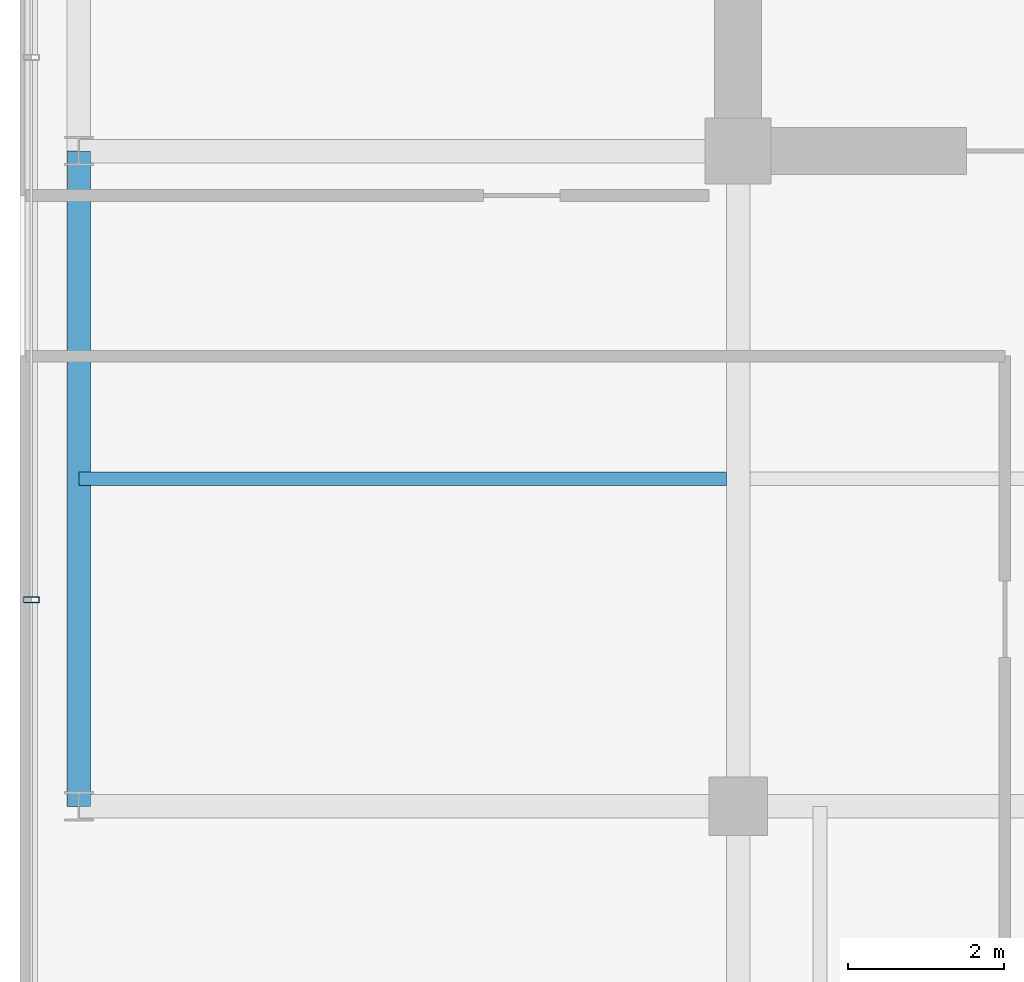
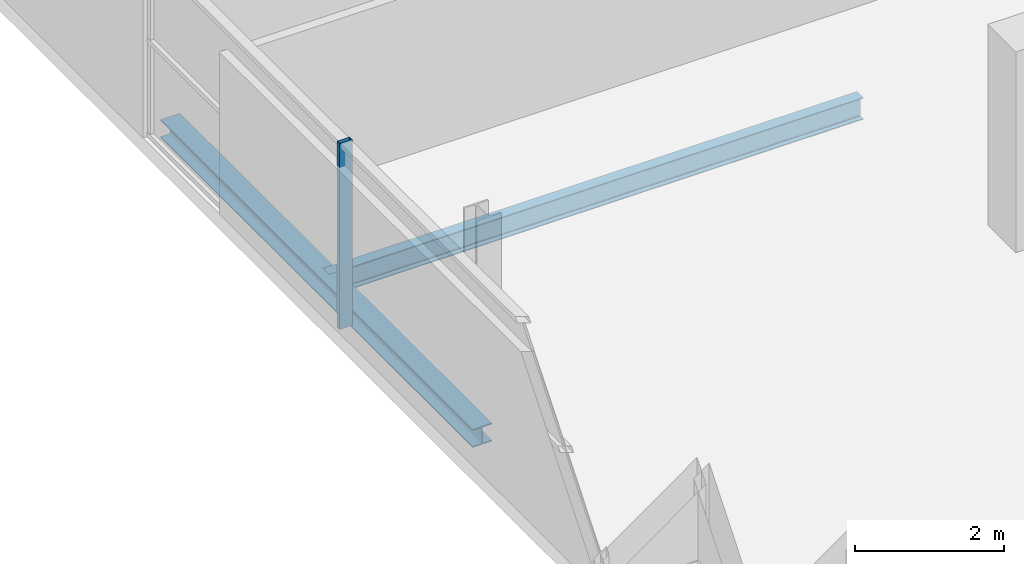
# One storey, part 4 of 24: 2 beams, 1 member, 1 element without a shape of its own.
"""IFC4 building model written with IfcOpenShell, lengths in metres."""

from ifc_helpers import new_model, si_unit, direction, frame, origin, origin_2d, place, context, subcontext, project, spatial, hollow_rectangle, i_section, extrude, source, transform, mapped, material, layer, layer_set, material_profile, profile_set, type_object, element, aggregate, save


model = new_model("IFC4")

# Units and contexts
model_context = context("Model", 3, precision=1e-05, world=origin(), true_north=direction((0.0, 1.0)))
body_context = subcontext(model_context, "Body", "Model", "MODEL_VIEW")
ifc_project = project(units=[si_unit("LENGTHUNIT", "METRE"), si_unit("AREAUNIT", "SQUARE_METRE"), si_unit("VOLUMEUNIT", "CUBIC_METRE"), si_unit("PLANEANGLEUNIT", "RADIAN"), si_unit("MASSUNIT", "GRAM", prefix="KILO")], contexts=[model_context])

# Site, building, storey
site_placement = place(None, origin())
site = spatial("IfcSite", under=ifc_project, at=site_placement, CompositionType="ELEMENT")
building_placement = place(site_placement, origin())
building = spatial("IfcBuilding", under=site, at=building_placement, Name="Zarnakvel Exchange Tower", CompositionType="ELEMENT")
storey_placement = place(building_placement, frame((0.0, 0.0, 205.60009765625)))
storey = spatial("IfcBuildingStorey", under=building, at=storey_placement, Name="L57", CompositionType="ELEMENT", Elevation=205.60009765625)

# Beams
ifc_material_1 = material(Name="Steel S355", Category="steel")
ifc_material_profile_1 = material_profile(ifc_material_1, i_section(OverallWidth=0.169921875, OverallDepth=0.360107421875, WebThickness=0.008056640625, FlangeThickness=0.0126953125, FilletRadius=0.01806640625, at=origin_2d()))
ifc_profile_set_1 = profile_set([ifc_material_profile_1], Name="Steel S355")
beam_type_1 = type_object("IfcBeamType", Name="B-07", PredefinedType="JOIST", material=ifc_profile_set_1)
beam_1_placement = place(storey_placement, frame((-22.85009765625, -5.39990234375, -0.43017578125), z_axis=(1.0, 0.0, 0.0), x_axis=(0.0, 1.0, 0.0)))
element("IfcBeam", 1, at=beam_1_placement, inside=storey, type_object=beam_type_1, Name="L57 Composite Floor Secondary Joist", PredefinedType="JOIST", context=body_context, shape_type="SweptSolid", body=[
    extrude(i_section(OverallWidth=0.169921875, OverallDepth=0.360107421875, WebThickness=0.008056640625, FlangeThickness=0.0126953125, FilletRadius=0.01806640625, at=origin_2d()), origin(), (0.0, 0.0, 1.0), 8.300048828125),
])
ifc_material_profile_2 = material_profile(ifc_material_1, i_section(OverallWidth=0.300048828125, OverallDepth=0.300048828125, WebThickness=0.010986328125, FlangeThickness=0.01904296875, FilletRadius=0.027099609375, at=origin_2d()))
ifc_profile_set_2 = profile_set([ifc_material_profile_2], Name="Steel S355")
beam_type_2 = type_object("IfcBeamType", Name="SP-03", PredefinedType="SPANDREL", material=ifc_profile_set_2)
beam_2_placement = place(storey_placement, frame((-22.85009765625, -9.60009765625, -0.400146484375), z_axis=(0.0, 1.0, 0.0), x_axis=(-1.0, 0.0, 0.0)))
element("IfcBeam", 2, at=beam_2_placement, inside=storey, type_object=beam_type_2, Name="L57 Tower N-S Frame Beam", PredefinedType="SPANDREL", context=body_context, shape_type="SweptSolid", body=[
    extrude(i_section(OverallWidth=0.300048828125, OverallDepth=0.300048828125, WebThickness=0.010986328125, FlangeThickness=0.01904296875, FilletRadius=0.027099609375, at=origin_2d()), origin(), (0.0, 0.0, 1.0), 8.400146484375),
])

# Curtain wall, member
ifc_material_2 = material(Name="Architectural Bronze Anodised Aluminium", Category="aluminium")
ifc_layer = layer(ifc_material_2, 0.199951171875)
ifc_layer_set = layer_set([ifc_layer], Name="Architectural Bronze Anodised Aluminium")
curtain_wall_type = type_object("IfcCurtainWallType", Name="CW-04", PredefinedType="NOTDEFINED", material=ifc_layer_set)
curtain_wall_placement = place(storey_placement, origin())
curtain_wall = element("IfcCurtainWall", 3, at=curtain_wall_placement, inside=storey, type_object=curtain_wall_type, Name="L57 Curtain Wall CW-L57-W1 (CW-04)", PredefinedType="NOTDEFINED")
ifc_material_profile_3 = material_profile(ifc_material_2, hollow_rectangle(XDim=0.199951171875, YDim=0.074951171875, WallThickness=0.0048828125, at=origin_2d()))
ifc_profile_set_3 = profile_set([ifc_material_profile_3], Name="Architectural Bronze Anodised Aluminium")
member_type = type_object("IfcMemberType", Name="CWM-04", PredefinedType="MULLION", material=ifc_profile_set_3)
shared_shape = source(origin(), body_context, "Body", "SweptSolid", [
    extrude(hollow_rectangle(XDim=0.199951171875, YDim=0.074951171875, WallThickness=0.0048828125, at=origin_2d()), origin(), (0.0, 0.0, 1.0), 3.054931640625),
])
member_placement = place(storey_placement, frame((-23.4599609375, -6.949951171875, 0.0), z_axis=(0.0, 0.0, 1.0), x_axis=(-1.0, 0.0, 0.0)))
member = element("IfcMember", 4, at=member_placement, type_object=member_type, Name="CW-04 mullion 2", PredefinedType="MULLION", context=body_context, shape_type="MappedRepresentation", body=[
    mapped(shared_shape, transform((0.0, 0.0, 0.0), x_axis=(1.0, 0.0, 0.0), y_axis=(0.0, 1.0, 0.0), z_axis=(0.0, 0.0, 1.0), scale=1.0)),
])
aggregate(curtain_wall, [member])

save(model, "model.ifc")
